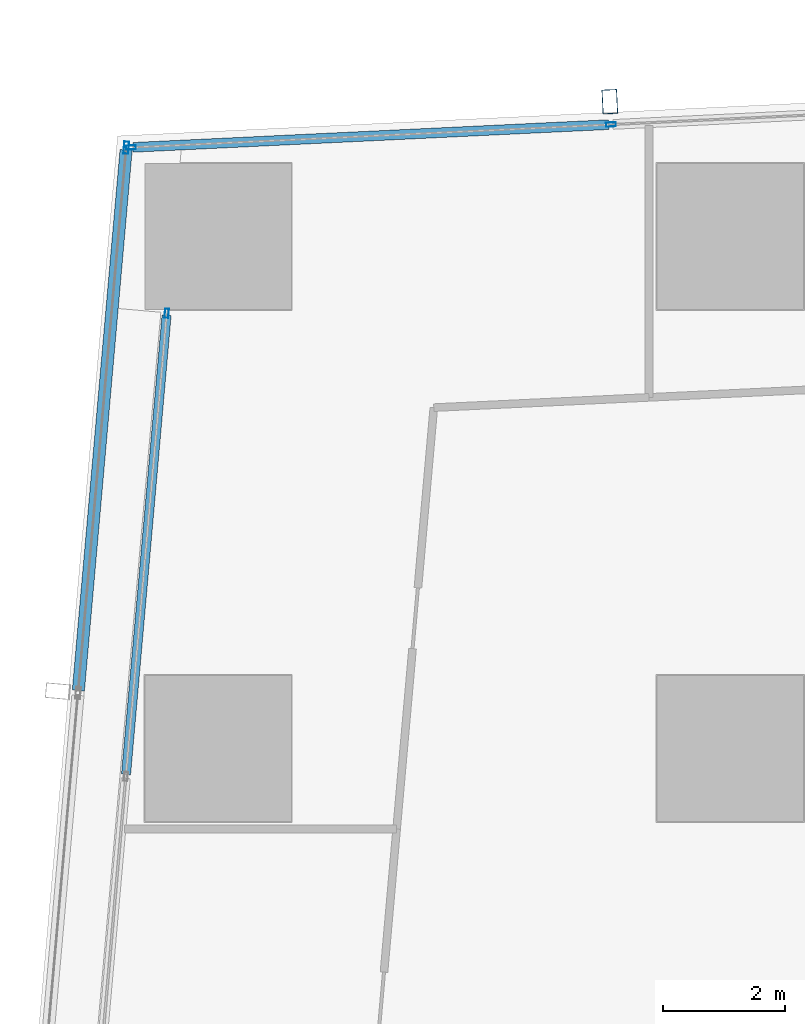
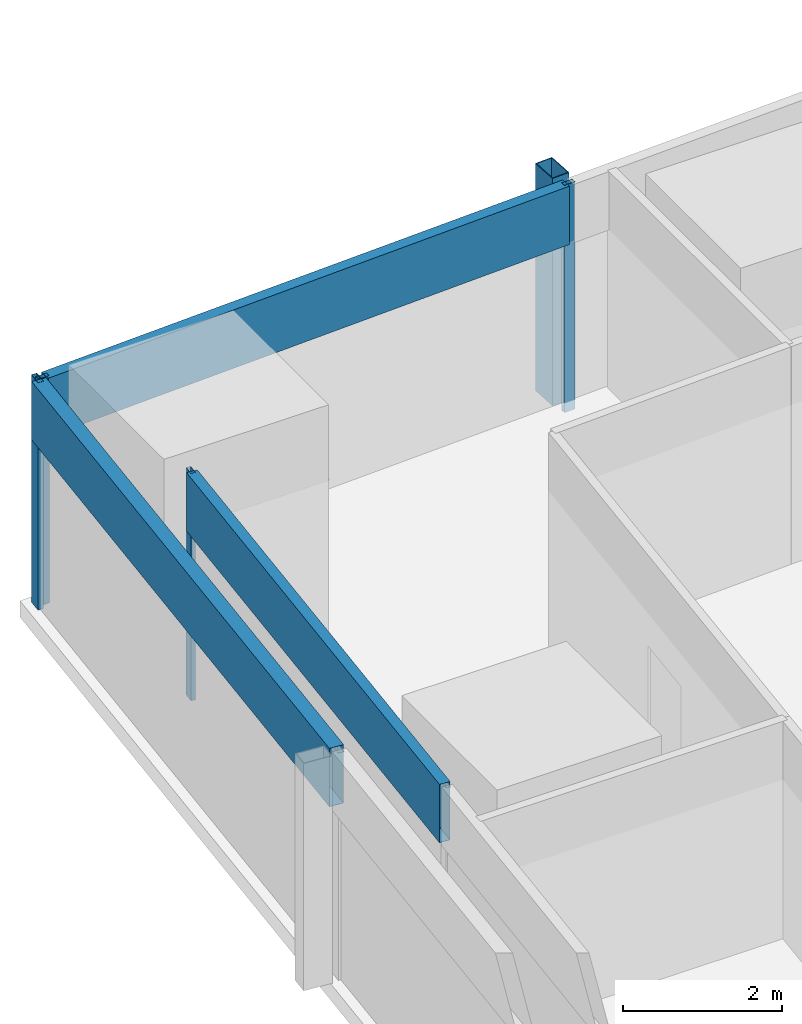
# One storey, part 15 of 37: 8 members, 3 elements without a shape of their own.
"""IFC4 building model written with IfcOpenShell, lengths in metres."""

from ifc_helpers import new_model, si_unit, direction, frame, origin, origin_2d, place, context, subcontext, project, spatial, hollow_rectangle, extrude, material, material_profile, profile_set, type_object, element, aggregate, save


model = new_model("IFC4")

# Units and contexts
model_context = context("Model", 3, precision=1e-05, world=origin(), true_north=direction((0.0, 1.0)))
body_context = subcontext(model_context, "Body", "Model", "MODEL_VIEW")
ifc_project = project(units=[si_unit("LENGTHUNIT", "METRE"), si_unit("AREAUNIT", "SQUARE_METRE"), si_unit("VOLUMEUNIT", "CUBIC_METRE"), si_unit("PLANEANGLEUNIT", "RADIAN"), si_unit("MASSUNIT", "GRAM", prefix="KILO")], contexts=[model_context])

# Site, building, storey
site_placement = place(None, origin())
site = spatial("IfcSite", under=ifc_project, at=site_placement, CompositionType="ELEMENT")
building_placement = place(site_placement, origin())
building = spatial("IfcBuilding", under=site, at=building_placement, Name="Rekha Terrace Tower", CompositionType="ELEMENT")
storey_placement = place(building_placement, frame((0.0, 0.0, 228.949951171875)))
storey = spatial("IfcBuildingStorey", under=building, at=storey_placement, Name="L58", CompositionType="ELEMENT", Elevation=228.949951171875)

# Curtain wall, member
ifc_material_1 = material(Name="Aluminium framing", Category="aluminium")
curtain_wall_type_1 = type_object("IfcCurtainWallType", Name="CW3 north unitised glazing", PredefinedType="USERDEFINED", material=ifc_material_1)
curtain_wall_1_placement = place(storey_placement, origin())
curtain_wall_1 = element("IfcCurtainWall", 1, at=curtain_wall_1_placement, inside=storey, type_object=curtain_wall_type_1, Name="CW3 unitised curtain wall", ObjectType="UNITISED CURTAIN WALL", PredefinedType="USERDEFINED")
ifc_material_2 = material(Name="Steel S355 with fluorocarbon finish", Category="steel")
ifc_material_profile_1 = material_profile(ifc_material_2, hollow_rectangle(XDim=0.25, YDim=0.39990234375, WallThickness=0.012451171875, at=origin_2d()), Name="RHS400x250x12.5")
ifc_profile_set_1 = profile_set([ifc_material_profile_1], Name="Steel S355 with fluorocarbon finish")
member_type_1 = type_object("IfcMemberType", Name="BL1 facade blade RHS 400 x 250", PredefinedType="USERDEFINED", material=ifc_profile_set_1)
member_1_placement = place(storey_placement, frame((14.824951171875, 61.01123046875, 0.0), z_axis=(0.0, 0.0, 1.0), x_axis=(-0.998858913274, -0.04775846913, 0.0)))
member_1 = element("IfcMember", 2, at=member_1_placement, type_object=member_type_1, Name="Facade blade", ObjectType="FACADE BLADE", PredefinedType="USERDEFINED", context=body_context, shape_type="SweptSolid", body=[
    extrude(hollow_rectangle(XDim=0.25, YDim=0.39990234375, WallThickness=0.012451171875, at=origin_2d()), origin(), (0.0, 0.0, 1.0), 3.5),
])

# Curtain wall, members
curtain_wall_type_2 = type_object("IfcCurtainWallType", Name="CW1 double skin inner glazing", PredefinedType="USERDEFINED", material=ifc_material_1)
curtain_wall_2_placement = place(storey_placement, origin())
curtain_wall_2 = element("IfcCurtainWall", 3, at=curtain_wall_2_placement, inside=storey, type_object=curtain_wall_type_2, Name="CW1 double skin inner glazing", ObjectType="DOUBLE SKIN INNER GLAZING", PredefinedType="USERDEFINED")
ifc_material_3 = material(Name="Aluminium mullion section", Category="aluminium")
ifc_material_profile_2 = material_profile(ifc_material_3, hollow_rectangle(XDim=0.06494140625, YDim=0.14990234375, WallThickness=0.00390625, at=origin_2d()), Name="AL RHS 65x150")
ifc_profile_set_2 = profile_set([ifc_material_profile_2], Name="Aluminium mullion section")
member_type_2 = type_object("IfcMemberType", Name="CW1 mullion RHS 65 x 150", PredefinedType="MULLION", material=ifc_profile_set_2)
member_2_placement = place(storey_placement, frame((7.55712890625, 57.539306640625, 0.0), z_axis=(0.0, 0.0, 1.0), x_axis=(0.996124185427, -0.087957985471, 0.0)))
member_2 = element("IfcMember", 4, at=member_2_placement, type_object=member_type_2, Name="CW1 mullion 1", PredefinedType="MULLION", context=body_context, shape_type="SweptSolid", body=[
    extrude(hollow_rectangle(XDim=0.06494140625, YDim=0.14990234375, WallThickness=0.00390625, at=origin_2d()), origin(), (0.0, 0.0, 1.0), 3.5),
])
ifc_material_4 = material(Name="Insulated aluminium spandrel box", Category="aluminium")
ifc_material_profile_3 = material_profile(ifc_material_4, hollow_rectangle(XDim=0.14990234375, YDim=0.89990234375, WallThickness=0.0029296875, at=origin_2d()), Name="AL SPANDREL BOX 150x900")
ifc_profile_set_3 = profile_set([ifc_material_profile_3], Name="Insulated aluminium spandrel box")
member_type_3 = type_object("IfcMemberType", Name="CW1 spandrel transom 150 x 900", PredefinedType="USERDEFINED", material=ifc_profile_set_3)
member_3_placement = place(storey_placement, frame((7.55419921875, 57.507080078125, 3.050048828125), z_axis=(-0.087956005103, -0.996124360292, 0.0), x_axis=(0.996124360292, -0.087956005103, 0.0)))
member_3 = element("IfcMember", 5, at=member_3_placement, type_object=member_type_3, Name="CW1 spandrel transom 1", ObjectType="TRANSOM", PredefinedType="USERDEFINED", context=body_context, shape_type="SweptSolid", body=[
    extrude(hollow_rectangle(XDim=0.14990234375, YDim=0.89990234375, WallThickness=0.0029296875, at=origin_2d()), origin(), (0.0, 0.0, 1.0), 7.56103515625),
])
aggregate(curtain_wall_2, [member_2, member_3])

curtain_wall_type_3 = type_object("IfcCurtainWallType", Name="CW2 double skin outer glazing", PredefinedType="USERDEFINED", material=ifc_material_1)
curtain_wall_3_placement = place(storey_placement, origin())
curtain_wall_3 = element("IfcCurtainWall", 6, at=curtain_wall_3_placement, inside=storey, type_object=curtain_wall_type_3, Name="CW2 double skin outer glazing", ObjectType="DOUBLE SKIN OUTER GLAZING", PredefinedType="USERDEFINED")
ifc_material_profile_4 = material_profile(ifc_material_3, hollow_rectangle(XDim=0.080078125, YDim=0.199951171875, WallThickness=0.00390625, at=origin_2d()), Name="AL RHS 80x200")
ifc_profile_set_4 = profile_set([ifc_material_profile_4], Name="Aluminium mullion section")
member_type_4 = type_object("IfcMemberType", Name="CW2 mullion RHS 80 x 200", PredefinedType="MULLION", material=ifc_profile_set_4)
member_4_placement = place(storey_placement, frame((6.8935546875, 60.257080078125, 0.0), z_axis=(0.0, 0.0, 1.0), x_axis=(0.996124185428, -0.087957985453, 0.0)))
member_4 = element("IfcMember", 7, at=member_4_placement, type_object=member_type_4, Name="CW2 mullion 1", PredefinedType="MULLION", context=body_context, shape_type="SweptSolid", body=[
    extrude(hollow_rectangle(XDim=0.080078125, YDim=0.199951171875, WallThickness=0.00390625, at=origin_2d()), origin(), (0.0, 0.0, 1.0), 3.5),
])
ifc_material_profile_5 = material_profile(ifc_material_4, hollow_rectangle(XDim=0.199951171875, YDim=0.89990234375, WallThickness=0.0029296875, at=origin_2d()), Name="AL SPANDREL BOX 200x900")
ifc_profile_set_5 = profile_set([ifc_material_profile_5], Name="Insulated aluminium spandrel box")
member_type_5 = type_object("IfcMemberType", Name="CW2 spandrel transom 200 x 900", PredefinedType="USERDEFINED", material=ifc_profile_set_5)
member_5_placement = place(storey_placement, frame((6.89013671875, 60.217041015625, 3.050048828125), z_axis=(-0.08797787529, -0.996122428951, 0.0), x_axis=(0.996122428951, -0.08797787529, 0.0)))
member_5 = element("IfcMember", 8, at=member_5_placement, type_object=member_type_5, Name="CW2 spandrel transom 1", ObjectType="TRANSOM", PredefinedType="USERDEFINED", context=body_context, shape_type="SweptSolid", body=[
    extrude(hollow_rectangle(XDim=0.199951171875, YDim=0.89990234375, WallThickness=0.0029296875, at=origin_2d()), origin(), (0.0, 0.0, 1.0), 8.8994140625),
])
aggregate(curtain_wall_3, [member_4, member_5])

# Member
ifc_material_profile_6 = material_profile(ifc_material_3, hollow_rectangle(XDim=0.070068359375, YDim=0.159912109375, WallThickness=0.00390625, at=origin_2d()), Name="AL RHS 70x160")
ifc_profile_set_6 = profile_set([ifc_material_profile_6], Name="Aluminium mullion section")
member_type_6 = type_object("IfcMemberType", Name="CW3 mullion RHS 70 x 160", PredefinedType="MULLION", material=ifc_profile_set_6)
member_6_placement = place(storey_placement, frame((14.843017578125, 60.63671875, 0.0), z_axis=(0.0, 0.0, 1.0), x_axis=(0.047758616983, -0.998858906204, 0.0)))
member_6 = element("IfcMember", 9, at=member_6_placement, type_object=member_type_6, Name="CW3 mullion 5", PredefinedType="MULLION", context=body_context, shape_type="SweptSolid", body=[
    extrude(hollow_rectangle(XDim=0.070068359375, YDim=0.159912109375, WallThickness=0.00390625, at=origin_2d()), origin(), (0.0, 0.0, 1.0), 3.5),
])

member_7_placement = place(storey_placement, frame((6.96875, 60.26025390625, 0.0), z_axis=(0.0, 0.0, 1.0), x_axis=(0.047758616983, -0.998858906204, 0.0)))
member_7 = element("IfcMember", 10, at=member_7_placement, type_object=member_type_6, Name="CW3 mullion 6", PredefinedType="MULLION", context=body_context, shape_type="SweptSolid", body=[
    extrude(hollow_rectangle(XDim=0.070068359375, YDim=0.159912109375, WallThickness=0.00390625, at=origin_2d()), origin(), (0.0, 0.0, 1.0), 3.5),
])

ifc_material_profile_7 = material_profile(ifc_material_4, hollow_rectangle(XDim=0.159912109375, YDim=0.89990234375, WallThickness=0.0029296875, at=origin_2d()), Name="AL SPANDREL BOX 160x900")
ifc_profile_set_7 = profile_set([ifc_material_profile_7], Name="Insulated aluminium spandrel box")
member_type_7 = type_object("IfcMemberType", Name="CW3 spandrel transom 160 x 900", PredefinedType="USERDEFINED", material=ifc_profile_set_7)
member_8_placement = place(storey_placement, frame((14.807861328125, 60.635009765625, 3.050048828125), z_axis=(-0.998859425172, -0.047747761666, 0.0), x_axis=(0.047747761666, -0.998859425172, 0.0)))
member_8 = element("IfcMember", 11, at=member_8_placement, type_object=member_type_7, Name="CW3 spandrel transom 5", ObjectType="TRANSOM", PredefinedType="USERDEFINED", context=body_context, shape_type="SweptSolid", body=[
    extrude(hollow_rectangle(XDim=0.159912109375, YDim=0.89990234375, WallThickness=0.0029296875, at=origin_2d()), origin(), (0.0, 0.0, 1.0), 7.81298828125),
])

aggregate(curtain_wall_1, [member_6, member_7, member_8, member_1])

save(model, "model.ifc")
